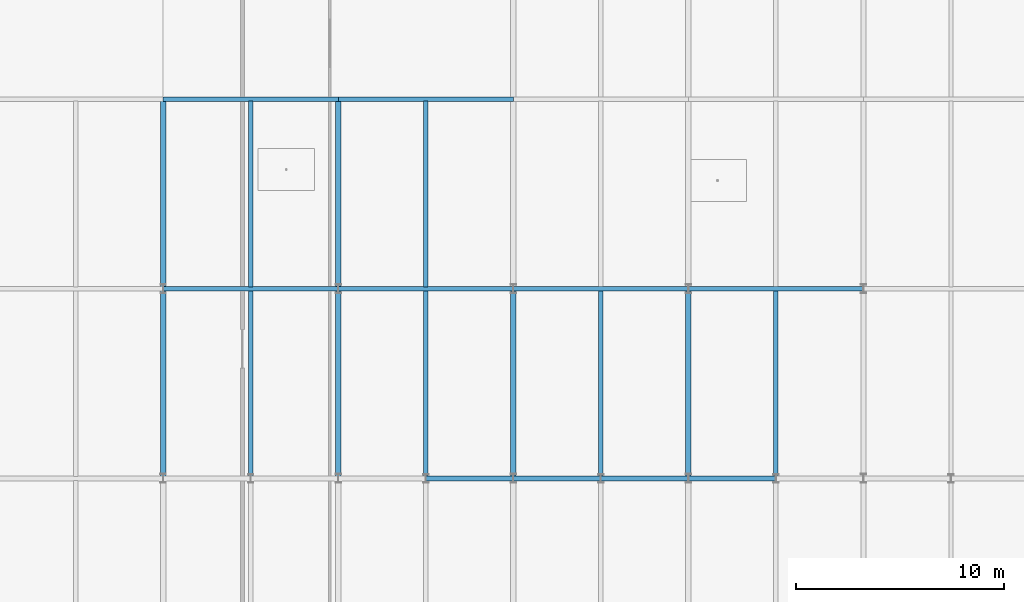
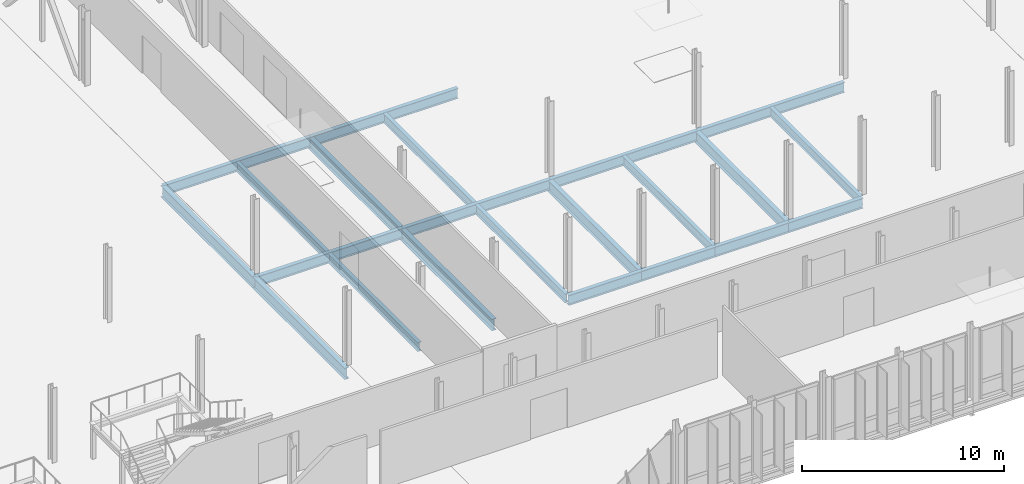
# One storey, part 63 of 139: 22 beams.
"""IFC4 building model written with IfcOpenShell, lengths in metres."""

from ifc_helpers import new_model, si_unit, derived_unit, direction, frame, origin, origin_2d, place, context, subcontext, project, spatial, i_section, extrude, material, material_profile, profile_set, type_object, element, save


model = new_model("IFC4")

# Units and contexts
model_context = context("Model", 3, precision=1e-05, world=origin(), true_north=direction((0.0, 1.0)))
body_context = subcontext(model_context, "Body", "Model", "MODEL_VIEW")
ifc_project = project(units=[si_unit("LENGTHUNIT", "METRE"), si_unit("AREAUNIT", "SQUARE_METRE"), si_unit("VOLUMEUNIT", "CUBIC_METRE"), si_unit("PLANEANGLEUNIT", "RADIAN"), si_unit("MASSUNIT", "GRAM", prefix="KILO"), derived_unit("THERMALTRANSMITTANCEUNIT", [(si_unit("MASSUNIT", "GRAM", prefix="KILO"), 1), (si_unit("TIMEUNIT", "SECOND"), -3), (si_unit("THERMODYNAMICTEMPERATUREUNIT", "KELVIN"), -1)])], contexts=[model_context])

# Site, building, storey
site_placement = place(None, origin())
site = spatial("IfcSite", under=ifc_project, at=site_placement, CompositionType="ELEMENT")
building_placement = place(site_placement, origin())
building = spatial("IfcBuilding", under=site, at=building_placement, Name="Makaiwela Harbour Ferry Terminal", CompositionType="ELEMENT")
storey_placement = place(building_placement, frame((0.0, 0.0, 5.10009765625)))
storey = spatial("IfcBuildingStorey", under=building, at=storey_placement, Name="L01", CompositionType="ELEMENT", Elevation=5.10009765625)

# Beams
ifc_material = material(Name="Steel ASTM A992 Grade 50", Category="steel")
ifc_material_profile_1 = material_profile(ifc_material, i_section(OverallWidth=0.2099609375, OverallDepth=0.537109375, WebThickness=0.010986328125, FlangeThickness=0.017333984375, at=origin_2d()), Name="W21X68")
ifc_profile_set_1 = profile_set([ifc_material_profile_1], Name="Steel ASTM A992 Grade 50")
beam_type_1 = type_object("IfcBeamType", Name="STR-BM-W21X68", PredefinedType="BEAM", material=ifc_profile_set_1)
beam_1_placement = place(storey_placement, frame((100.800048828125, 67.696533203125, -0.548583984375), z_axis=(0.0, 1.0, 0.0), x_axis=(-1.0, 0.0, 0.0)))
element("IfcBeam", 1, at=beam_1_placement, inside=storey, type_object=beam_type_1, Name="Secondary floor beam 1116", PredefinedType="BEAM", context=body_context, shape_type="SweptSolid", body=[
    extrude(i_section(OverallWidth=0.2099609375, OverallDepth=0.537109375, WebThickness=0.010986328125, FlangeThickness=0.017333984375, at=origin_2d()), origin(), (0.0, 0.0, 1.0), 8.906982421875),
])
beam_2_placement = place(storey_placement, frame((100.800048828125, 76.79638671875, -0.548583984375), z_axis=(0.0, 1.0, 0.0), x_axis=(-1.0, 0.0, 0.0)))
element("IfcBeam", 2, at=beam_2_placement, inside=storey, type_object=beam_type_1, Name="Secondary floor beam 1117", PredefinedType="BEAM", context=body_context, shape_type="SweptSolid", body=[
    extrude(i_section(OverallWidth=0.2099609375, OverallDepth=0.537109375, WebThickness=0.010986328125, FlangeThickness=0.017333984375, at=origin_2d()), origin(), (0.0, 0.0, 1.0), 8.9072265625),
])
beam_3_placement = place(storey_placement, frame((109.199951171875, 67.696533203125, -0.548583984375), z_axis=(0.0, 1.0, 0.0), x_axis=(-1.0, 0.0, 0.0)))
element("IfcBeam", 3, at=beam_3_placement, inside=storey, type_object=beam_type_1, Name="Secondary floor beam 1124", PredefinedType="BEAM", context=body_context, shape_type="SweptSolid", body=[
    extrude(i_section(OverallWidth=0.2099609375, OverallDepth=0.537109375, WebThickness=0.010986328125, FlangeThickness=0.017333984375, at=origin_2d()), origin(), (0.0, 0.0, 1.0), 8.906982421875),
])
beam_4_placement = place(storey_placement, frame((109.199951171875, 76.79638671875, -0.548583984375), z_axis=(0.0, 1.0, 0.0), x_axis=(-1.0, 0.0, 0.0)))
element("IfcBeam", 4, at=beam_4_placement, inside=storey, type_object=beam_type_1, Name="Secondary floor beam 1125", PredefinedType="BEAM", context=body_context, shape_type="SweptSolid", body=[
    extrude(i_section(OverallWidth=0.2099609375, OverallDepth=0.537109375, WebThickness=0.010986328125, FlangeThickness=0.017333984375, at=origin_2d()), origin(), (0.0, 0.0, 1.0), 8.9072265625),
])
for number, where, z_axis, x_axis, name in (
    (5, (117.60009765625, 67.696533203125, -0.548583984375), (0.0, 1.0, 0.0), (-1.0, 0.0, 0.0), "Secondary floor beam 1132"),
    (6, (126.0, 67.696533203125, -0.548583984375), (0.0, 1.0, 0.0), (-1.0, 0.0, 0.0), "Secondary floor beam 1139"),
):
    element("IfcBeam", number, at=place(storey_placement, frame(where, z_axis=z_axis, x_axis=x_axis)), inside=storey, type_object=beam_type_1, Name=name, PredefinedType="BEAM", context=body_context, shape_type="SweptSolid", body=[
        extrude(i_section(OverallWidth=0.2099609375, OverallDepth=0.537109375, WebThickness=0.010986328125, FlangeThickness=0.017333984375, at=origin_2d()), origin(), (0.0, 0.0, 1.0), 8.906982421875),
    ])
ifc_material_profile_2 = material_profile(ifc_material, i_section(OverallWidth=0.22900390625, OverallDepth=0.612060546875, WebThickness=0.011962890625, FlangeThickness=0.01953125, at=origin_2d()), Name="W24X84")
ifc_profile_set_2 = profile_set([ifc_material_profile_2], Name="Steel ASTM A992 Grade 50")
beam_type_2 = type_object("IfcBeamType", Name="STR-GRD-W24X84", PredefinedType="USERDEFINED", material=ifc_profile_set_2)
beam_5_placement = place(storey_placement, frame((109.199951171875, 67.60009765625, -0.586181640625), z_axis=(1.0, 0.0, 0.0), x_axis=(0.0, 1.0, 0.0)))
element("IfcBeam", 7, at=beam_5_placement, inside=storey, type_object=beam_type_2, Name="Primary X girder 856", ObjectType="GIRDER", PredefinedType="USERDEFINED", context=body_context, shape_type="SweptSolid", body=[
    extrude(i_section(OverallWidth=0.22900390625, OverallDepth=0.612060546875, WebThickness=0.011962890625, FlangeThickness=0.01953125, at=origin_2d()), origin(), (0.0, 0.0, 1.0), 4.199951171875),
])
beam_6_placement = place(storey_placement, frame((113.39990234375, 67.60009765625, -0.586181640625), z_axis=(1.0, 0.0, 0.0), x_axis=(0.0, 1.0, 0.0)))
element("IfcBeam", 8, at=beam_6_placement, inside=storey, type_object=beam_type_2, Name="Primary X girder 857", ObjectType="GIRDER", PredefinedType="USERDEFINED", context=body_context, shape_type="SweptSolid", body=[
    extrude(i_section(OverallWidth=0.22900390625, OverallDepth=0.612060546875, WebThickness=0.011962890625, FlangeThickness=0.01953125, at=origin_2d()), origin(), (0.0, 0.0, 1.0), 4.2001953125),
])
for number, where, z_axis, x_axis, name in (
    (9, (117.60009765625, 67.60009765625, -0.586181640625), (1.0, 0.0, 0.0), (0.0, 1.0, 0.0), "Primary X girder 858"),
    (10, (121.800048828125, 67.60009765625, -0.586181640625), (1.0, 0.0, 0.0), (0.0, 1.0, 0.0), "Primary X girder 859"),
):
    element("IfcBeam", number, at=place(storey_placement, frame(where, z_axis=z_axis, x_axis=x_axis)), inside=storey, type_object=beam_type_2, Name=name, ObjectType="GIRDER", PredefinedType="USERDEFINED", context=body_context, shape_type="SweptSolid", body=[
        extrude(i_section(OverallWidth=0.22900390625, OverallDepth=0.612060546875, WebThickness=0.011962890625, FlangeThickness=0.01953125, at=origin_2d()), origin(), (0.0, 0.0, 1.0), 4.199951171875),
    ])
for number, where, z_axis, x_axis, name in (
    (11, (96.60009765625, 76.699951171875, -0.586181640625), (1.0, 0.0, 0.0), (0.0, 1.0, 0.0), "Primary X girder 871"),
    (12, (105.0, 76.699951171875, -0.586181640625), (1.0, 0.0, 0.0), (0.0, 1.0, 0.0), "Primary X girder 872"),
):
    element("IfcBeam", number, at=place(storey_placement, frame(where, z_axis=z_axis, x_axis=x_axis)), inside=storey, type_object=beam_type_2, Name=name, ObjectType="GIRDER", PredefinedType="USERDEFINED", context=body_context, shape_type="SweptSolid", body=[
        extrude(i_section(OverallWidth=0.22900390625, OverallDepth=0.612060546875, WebThickness=0.011962890625, FlangeThickness=0.01953125, at=origin_2d()), origin(), (0.0, 0.0, 1.0), 8.39990234375),
    ])
beam_7_placement = place(storey_placement, frame((113.39990234375, 76.699951171875, -0.586181640625), z_axis=(1.0, 0.0, 0.0), x_axis=(0.0, 1.0, 0.0)))
element("IfcBeam", 13, at=beam_7_placement, inside=storey, type_object=beam_type_2, Name="Primary X girder 873", ObjectType="GIRDER", PredefinedType="USERDEFINED", context=body_context, shape_type="SweptSolid", body=[
    extrude(i_section(OverallWidth=0.22900390625, OverallDepth=0.612060546875, WebThickness=0.011962890625, FlangeThickness=0.01953125, at=origin_2d()), origin(), (0.0, 0.0, 1.0), 8.400146484375),
])
for number, where, z_axis, x_axis, name in (
    (14, (121.800048828125, 76.699951171875, -0.586181640625), (1.0, 0.0, 0.0), (0.0, 1.0, 0.0), "Primary X girder 874"),
    (15, (96.60009765625, 85.800048828125, -0.586181640625), (1.0, 0.0, 0.0), (0.0, 1.0, 0.0), "Primary X girder 884"),
    (16, (105.0, 85.800048828125, -0.586181640625), (1.0, 0.0, 0.0), (0.0, 1.0, 0.0), "Primary X girder 885"),
):
    element("IfcBeam", number, at=place(storey_placement, frame(where, z_axis=z_axis, x_axis=x_axis)), inside=storey, type_object=beam_type_2, Name=name, ObjectType="GIRDER", PredefinedType="USERDEFINED", context=body_context, shape_type="SweptSolid", body=[
        extrude(i_section(OverallWidth=0.22900390625, OverallDepth=0.612060546875, WebThickness=0.011962890625, FlangeThickness=0.01953125, at=origin_2d()), origin(), (0.0, 0.0, 1.0), 8.39990234375),
    ])
ifc_material_profile_3 = material_profile(ifc_material, i_section(OverallWidth=0.256103515625, OverallDepth=0.693115234375, WebThickness=0.014404296875, FlangeThickness=0.023681640625, at=origin_2d()), Name="W27X114")
ifc_profile_set_3 = profile_set([ifc_material_profile_3], Name="Steel ASTM A992 Grade 50")
beam_type_3 = type_object("IfcBeamType", Name="STR-GRD-W27X114", PredefinedType="USERDEFINED", material=ifc_profile_set_3)
beam_8_placement = place(storey_placement, frame((96.60009765625, 67.60009765625, -0.626708984375), z_axis=(0.0, 1.0, 0.0), x_axis=(-1.0, 0.0, 0.0)))
element("IfcBeam", 17, at=beam_8_placement, inside=storey, type_object=beam_type_3, Name="Primary Y girder 970", ObjectType="GIRDER", PredefinedType="USERDEFINED", context=body_context, shape_type="SweptSolid", body=[
    extrude(i_section(OverallWidth=0.256103515625, OverallDepth=0.693115234375, WebThickness=0.014404296875, FlangeThickness=0.023681640625, at=origin_2d()), origin(), (0.0, 0.0, 1.0), 9.099853515625),
])
beam_9_placement = place(storey_placement, frame((96.60009765625, 76.699951171875, -0.626708984375), z_axis=(0.0, 1.0, 0.0), x_axis=(-1.0, 0.0, 0.0)))
element("IfcBeam", 18, at=beam_9_placement, inside=storey, type_object=beam_type_3, Name="Primary Y girder 971", ObjectType="GIRDER", PredefinedType="USERDEFINED", context=body_context, shape_type="SweptSolid", body=[
    extrude(i_section(OverallWidth=0.256103515625, OverallDepth=0.693115234375, WebThickness=0.014404296875, FlangeThickness=0.023681640625, at=origin_2d()), origin(), (0.0, 0.0, 1.0), 9.10009765625),
])
beam_10_placement = place(storey_placement, frame((105.0, 67.60009765625, -0.626708984375), z_axis=(0.0, 1.0, 0.0), x_axis=(-1.0, 0.0, 0.0)))
element("IfcBeam", 19, at=beam_10_placement, inside=storey, type_object=beam_type_3, Name="Primary Y girder 978", ObjectType="GIRDER", PredefinedType="USERDEFINED", context=body_context, shape_type="SweptSolid", body=[
    extrude(i_section(OverallWidth=0.256103515625, OverallDepth=0.693115234375, WebThickness=0.014404296875, FlangeThickness=0.023681640625, at=origin_2d()), origin(), (0.0, 0.0, 1.0), 9.099853515625),
])
beam_11_placement = place(storey_placement, frame((105.0, 76.699951171875, -0.626708984375), z_axis=(0.0, 1.0, 0.0), x_axis=(-1.0, 0.0, 0.0)))
element("IfcBeam", 20, at=beam_11_placement, inside=storey, type_object=beam_type_3, Name="Primary Y girder 979", ObjectType="GIRDER", PredefinedType="USERDEFINED", context=body_context, shape_type="SweptSolid", body=[
    extrude(i_section(OverallWidth=0.256103515625, OverallDepth=0.693115234375, WebThickness=0.014404296875, FlangeThickness=0.023681640625, at=origin_2d()), origin(), (0.0, 0.0, 1.0), 9.10009765625),
])
for number, where, z_axis, x_axis, name in (
    (21, (113.39990234375, 67.60009765625, -0.626708984375), (0.0, 1.0, 0.0), (-1.0, 0.0, 0.0), "Primary Y girder 986"),
    (22, (121.800048828125, 67.60009765625, -0.626708984375), (0.0, 1.0, 0.0), (-1.0, 0.0, 0.0), "Primary Y girder 996"),
):
    element("IfcBeam", number, at=place(storey_placement, frame(where, z_axis=z_axis, x_axis=x_axis)), inside=storey, type_object=beam_type_3, Name=name, ObjectType="GIRDER", PredefinedType="USERDEFINED", context=body_context, shape_type="SweptSolid", body=[
        extrude(i_section(OverallWidth=0.256103515625, OverallDepth=0.693115234375, WebThickness=0.014404296875, FlangeThickness=0.023681640625, at=origin_2d()), origin(), (0.0, 0.0, 1.0), 9.099853515625),
    ])

save(model, "model.ifc")
